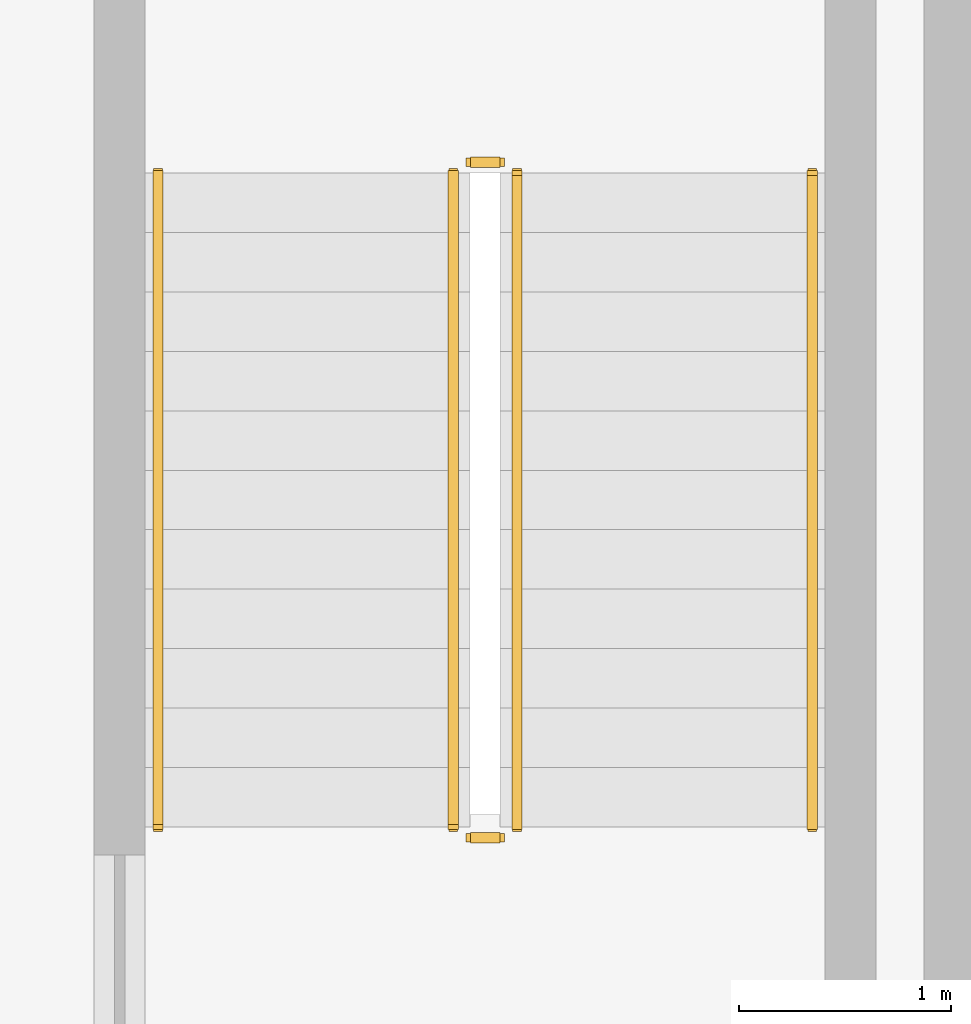
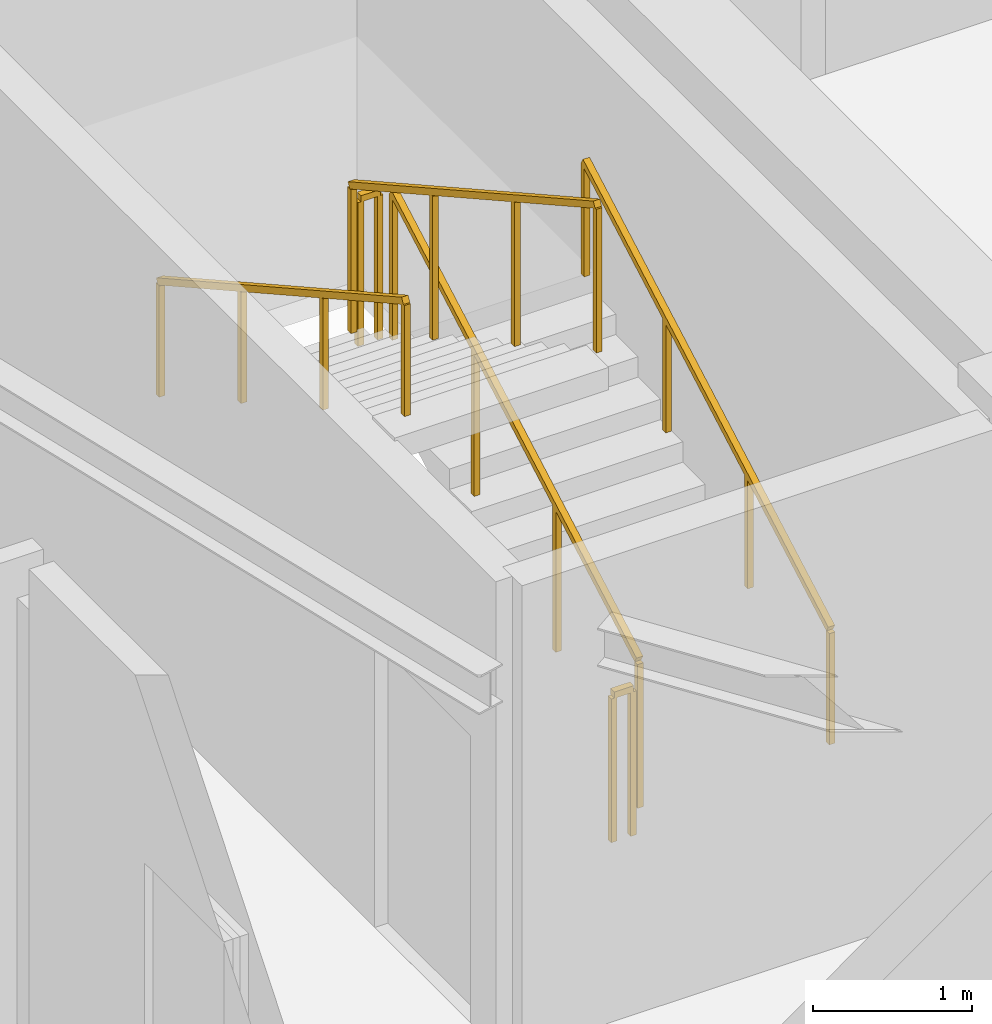
# One storey, part 8 of 10: 6 railings.
"""IFC4 building model written with IfcOpenShell, lengths in metres."""

from ifc_helpers import new_model, si_unit, direction, frame, origin, origin_2d, place, context, subcontext, project, spatial, rectangle, extrude, material, type_object, element, save


model = new_model("IFC4")

# Units and contexts
model_context = context("Model", 3, precision=1e-05, world=origin(), true_north=direction((0.0, 1.0)))
body_context = subcontext(model_context, "Body", "Model", "MODEL_VIEW")
ifc_project = project(units=[si_unit("LENGTHUNIT", "METRE"), si_unit("AREAUNIT", "SQUARE_METRE"), si_unit("VOLUMEUNIT", "CUBIC_METRE"), si_unit("PLANEANGLEUNIT", "RADIAN"), si_unit("MASSUNIT", "GRAM", prefix="KILO")], contexts=[model_context])

# Site, building, storey
site_placement = place(None, origin())
site = spatial("IfcSite", under=ifc_project, at=site_placement, CompositionType="ELEMENT")
building_placement = place(site_placement, origin())
building = spatial("IfcBuilding", under=site, at=building_placement, Name="Liaohun Quay Tower", CompositionType="ELEMENT")
storey_placement = place(building_placement, frame((0.0, 0.0, 309.0)))
storey = spatial("IfcBuildingStorey", under=building, at=storey_placement, Name="L80", CompositionType="ELEMENT", Elevation=309.0)

# Railings
ifc_material_1 = material(Name="Painted tubular steel", Category="steel")
railing_type_1 = type_object("IfcRailingType", Name="RLG-GUARD-STR", PredefinedType="GUARDRAIL", material=ifc_material_1)
railing_1_placement = place(storey_placement, frame((48.81005859375, 48.35009765625, 0.15625)))
element("IfcRailing", 1, at=railing_1_placement, inside=storey, type_object=railing_type_1, Name="L80 ST-1 stair guard 1", PredefinedType="GUARDRAIL", context=body_context, shape_type="SweptSolid", body=[
    extrude(rectangle(XDim=0.048095703125, YDim=0.048095703125, at=origin_2d()), frame((0.0, 0.0, 1.1259765625), z_axis=(0.0, 0.873225103656, 0.487317061414), x_axis=(-1.0, 0.0, 0.0)), (0.0, 0.0, 1.0), 3.52685546875),
    extrude(rectangle(XDim=0.0419921875, YDim=0.0419921875, at=origin_2d()), origin(), (0.0, 0.0, 1.0), 1.101806640625),
    extrude(rectangle(XDim=0.0419921875, YDim=0.0419921875, at=origin_2d()), frame((0.0, 1.026611328125, 0.572998046875)), (0.0, 0.0, 1.0), 1.101806640625),
    extrude(rectangle(XDim=0.0419921875, YDim=0.0419921875, at=origin_2d()), frame((0.0, 2.05322265625, 1.145751953125)), (0.0, 0.0, 1.0), 1.101806640625),
    extrude(rectangle(XDim=0.0419921875, YDim=0.0419921875, at=origin_2d()), frame((0.0, 3.079833984375, 1.71875)), (0.0, 0.0, 1.0), 1.101806640625),
])
railing_2_placement = place(storey_placement, frame((48.72998046875, 51.47998046875, 1.875)))
element("IfcRailing", 2, at=railing_2_placement, inside=storey, type_object=railing_type_1, Name="L80 ST-1 stair guard 2", PredefinedType="GUARDRAIL", context=body_context, shape_type="SweptSolid", body=[
    extrude(rectangle(XDim=0.048095703125, YDim=0.048095703125, at=origin_2d()), frame((0.0, 0.0, 1.1259765625), z_axis=(-1.0, 0.0, 0.0), x_axis=(0.0, -1.0, 0.0)), (0.0, 0.0, 1.0), 0.139892578125),
    extrude(rectangle(XDim=0.0419921875, YDim=0.0419921875, at=origin_2d()), origin(), (0.0, 0.0, 1.0), 1.101806640625),
    extrude(rectangle(XDim=0.0419921875, YDim=0.0419921875, at=origin_2d()), frame((-0.139892578125, 0.0, 0.0)), (0.0, 0.0, 1.0), 1.101806640625),
])
railing_3_placement = place(storey_placement, frame((48.510009765625, 51.429931640625, 2.03125)))
element("IfcRailing", 3, at=railing_3_placement, inside=storey, type_object=railing_type_1, Name="L80 ST-1 stair guard 3", PredefinedType="GUARDRAIL", context=body_context, shape_type="SweptSolid", body=[
    extrude(rectangle(XDim=0.048095703125, YDim=0.048095703125, at=origin_2d()), frame((0.0, 0.0, 1.1259765625), z_axis=(0.0, -0.873225103656, 0.487317061414), x_axis=(1.0, 0.0, 0.0)), (0.0, 0.0, 1.0), 3.52685546875),
    extrude(rectangle(XDim=0.0419921875, YDim=0.0419921875, at=origin_2d()), origin(), (0.0, 0.0, 1.0), 1.101806640625),
    extrude(rectangle(XDim=0.0419921875, YDim=0.0419921875, at=origin_2d()), frame((0.0, -1.026611328125, 0.572998046875)), (0.0, 0.0, 1.0), 1.101806640625),
    extrude(rectangle(XDim=0.0419921875, YDim=0.0419921875, at=origin_2d()), frame((0.0, -2.05322265625, 1.145751953125)), (0.0, 0.0, 1.0), 1.101806640625),
    extrude(rectangle(XDim=0.0419921875, YDim=0.0419921875, at=origin_2d()), frame((0.0, -3.079833984375, 1.71875)), (0.0, 0.0, 1.0), 1.101806640625),
])
railing_4_placement = place(storey_placement, frame((48.72998046875, 48.300048828125, 0.0)))
element("IfcRailing", 4, at=railing_4_placement, inside=storey, type_object=railing_type_1, Name="L80 ST-1 stair guard 4", PredefinedType="GUARDRAIL", context=body_context, shape_type="SweptSolid", body=[
    extrude(rectangle(XDim=0.048095703125, YDim=0.048095703125, at=origin_2d()), frame((0.0, 0.0, 1.1259765625), z_axis=(-1.0, 0.0, 0.0), x_axis=(0.0, -1.0, 0.0)), (0.0, 0.0, 1.0), 0.139892578125),
    extrude(rectangle(XDim=0.0419921875, YDim=0.0419921875, at=origin_2d()), origin(), (0.0, 0.0, 1.0), 1.101806640625),
    extrude(rectangle(XDim=0.0419921875, YDim=0.0419921875, at=origin_2d()), frame((-0.139892578125, 0.0, 0.0)), (0.0, 0.0, 1.0), 1.101806640625),
])
ifc_material_2 = material(Name="Brushed stainless steel", Category="steel")
railing_type_2 = type_object("IfcRailingType", Name="RLG-HND-STR", PredefinedType="HANDRAIL", material=ifc_material_2)
railing_5_placement = place(storey_placement, frame((50.199951171875, 48.35009765625, 0.15625)))
element("IfcRailing", 5, at=railing_5_placement, inside=storey, type_object=railing_type_2, Name="L80 ST-1 stair handrail 1", PredefinedType="HANDRAIL", context=body_context, shape_type="SweptSolid", body=[
    extrude(rectangle(XDim=0.048095703125, YDim=0.048095703125, at=origin_2d()), frame((0.0, 0.0, 0.8759765625), z_axis=(0.0, 0.873225103656, 0.487317061414), x_axis=(-1.0, 0.0, 0.0)), (0.0, 0.0, 1.0), 3.52685546875),
    extrude(rectangle(XDim=0.0419921875, YDim=0.0419921875, at=origin_2d()), origin(), (0.0, 0.0, 1.0), 0.851806640625),
    extrude(rectangle(XDim=0.0419921875, YDim=0.0419921875, at=origin_2d()), frame((0.0, 1.026611328125, 0.572998046875)), (0.0, 0.0, 1.0), 0.851806640625),
    extrude(rectangle(XDim=0.0419921875, YDim=0.0419921875, at=origin_2d()), frame((0.0, 2.05322265625, 1.145751953125)), (0.0, 0.0, 1.0), 0.851806640625),
    extrude(rectangle(XDim=0.0419921875, YDim=0.0419921875, at=origin_2d()), frame((0.0, 3.079833984375, 1.71875)), (0.0, 0.0, 1.0), 0.851806640625),
])
railing_6_placement = place(storey_placement, frame((47.1201171875, 51.429931640625, 2.03125)))
element("IfcRailing", 6, at=railing_6_placement, inside=storey, type_object=railing_type_2, Name="L80 ST-1 stair handrail 2", PredefinedType="HANDRAIL", context=body_context, shape_type="SweptSolid", body=[
    extrude(rectangle(XDim=0.048095703125, YDim=0.048095703125, at=origin_2d()), frame((0.0, 0.0, 0.8759765625), z_axis=(0.0, -0.873225103656, 0.487317061414), x_axis=(1.0, 0.0, 0.0)), (0.0, 0.0, 1.0), 3.52685546875),
    extrude(rectangle(XDim=0.0419921875, YDim=0.0419921875, at=origin_2d()), origin(), (0.0, 0.0, 1.0), 0.851806640625),
    extrude(rectangle(XDim=0.0419921875, YDim=0.0419921875, at=origin_2d()), frame((0.0, -1.026611328125, 0.572998046875)), (0.0, 0.0, 1.0), 0.851806640625),
    extrude(rectangle(XDim=0.0419921875, YDim=0.0419921875, at=origin_2d()), frame((0.0, -2.05322265625, 1.145751953125)), (0.0, 0.0, 1.0), 0.851806640625),
    extrude(rectangle(XDim=0.0419921875, YDim=0.0419921875, at=origin_2d()), frame((0.0, -3.079833984375, 1.71875)), (0.0, 0.0, 1.0), 0.851806640625),
])

save(model, "model.ifc")
